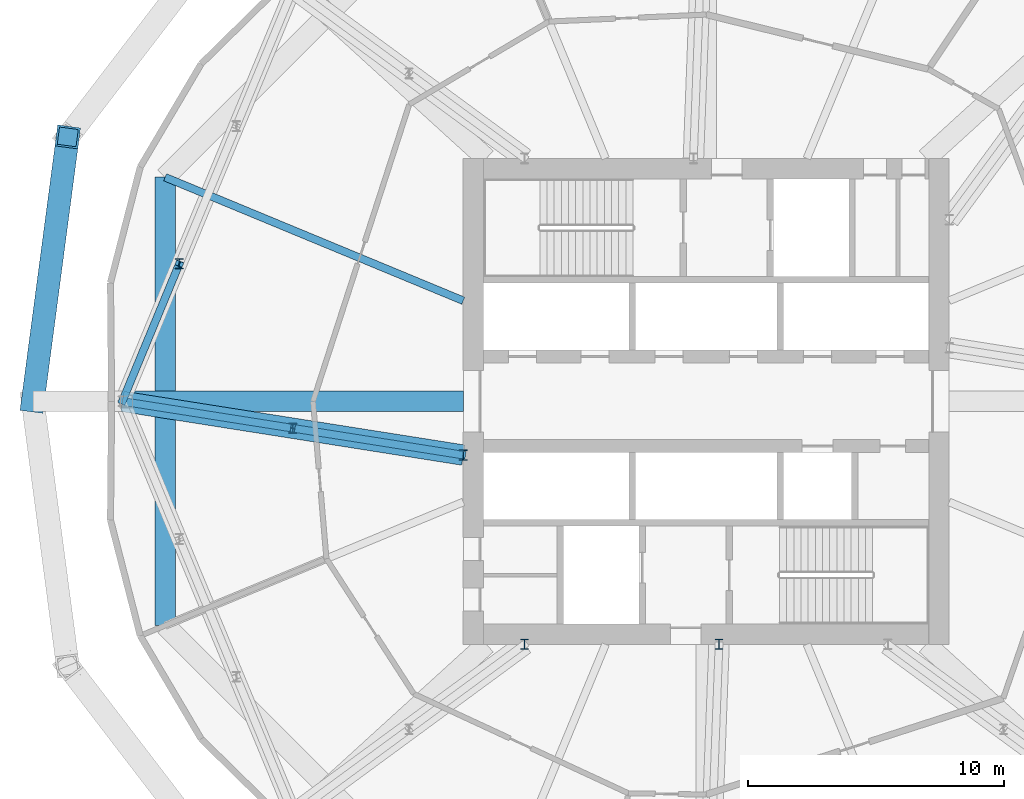
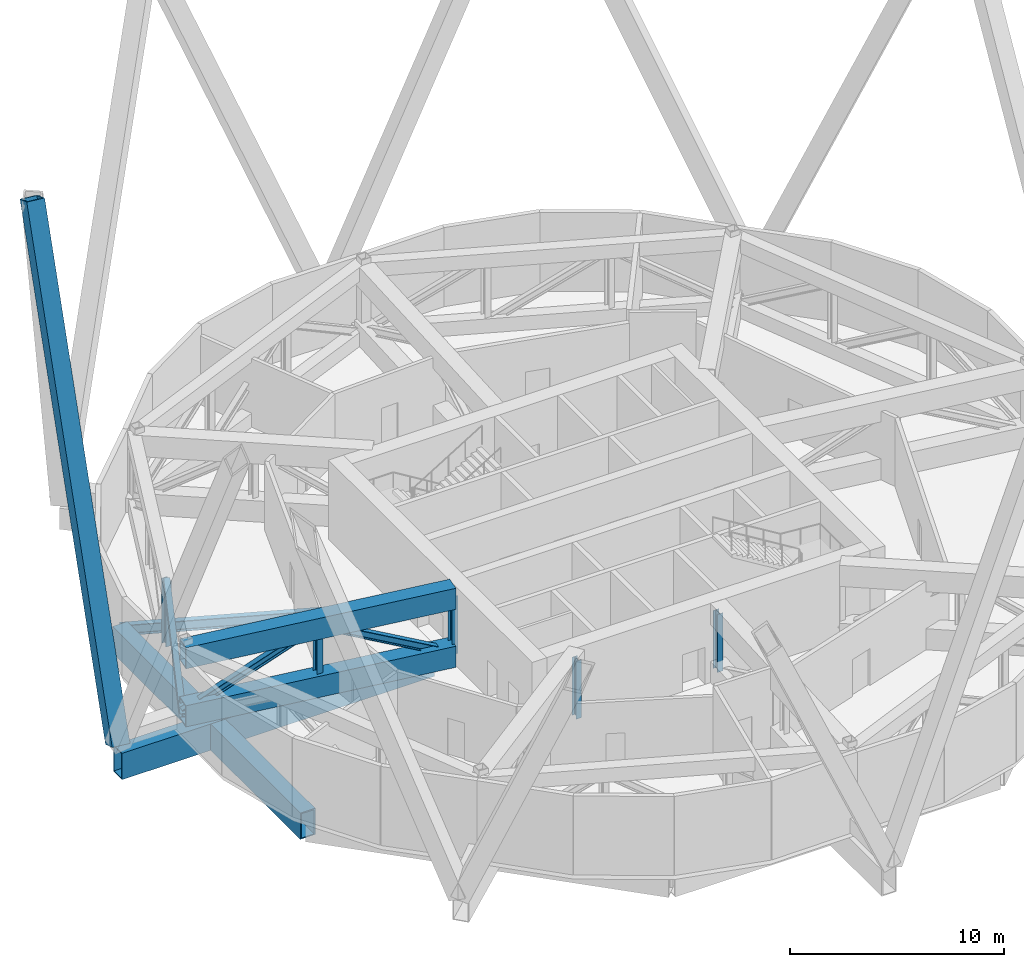
# One storey, part 4 of 21: 11 members, 3 beams.
"""IFC4 building model written with IfcOpenShell, lengths in metres."""

from ifc_helpers import new_model, si_unit, direction, frame, origin, origin_2d, place, context, subcontext, project, spatial, hollow_rectangle, i_section, extrude, material, material_profile, profile_set, type_object, element, save


model = new_model("IFC4")

# Units and contexts
model_context = context("Model", 3, precision=1e-05, world=origin(), true_north=direction((0.0, 1.0)))
body_context = subcontext(model_context, "Body", "Model", "MODEL_VIEW")
ifc_project = project(units=[si_unit("LENGTHUNIT", "METRE"), si_unit("AREAUNIT", "SQUARE_METRE"), si_unit("VOLUMEUNIT", "CUBIC_METRE"), si_unit("PLANEANGLEUNIT", "RADIAN"), si_unit("MASSUNIT", "GRAM", prefix="KILO")], contexts=[model_context])

# Site, building, storey
site_placement = place(None, origin())
site = spatial("IfcSite", under=ifc_project, at=site_placement, CompositionType="ELEMENT")
building_placement = place(site_placement, origin())
building = spatial("IfcBuilding", under=site, at=building_placement, Name="Ogive Gate Towers", CompositionType="ELEMENT")
storey_placement = place(building_placement, frame((0.0, 0.0, 71.39990234375)))
storey = spatial("IfcBuildingStorey", under=building, at=storey_placement, Name="L16", CompositionType="ELEMENT", Elevation=71.39990234375)

# Member
ifc_material_1 = material(Name="Steel SM460", Category="steel")
ifc_material_profile_1 = material_profile(ifc_material_1, hollow_rectangle(XDim=0.89990234375, YDim=0.89990234375, WallThickness=0.080078125, at=origin_2d()), Name="BX 900x900x80")
ifc_profile_set_1 = profile_set([ifc_material_profile_1], Name="Steel SM460")
member_type_1 = type_object("IfcMemberType", Name="Diagrid diagonal BX 900x900x80", PredefinedType="BRACE", material=ifc_profile_set_1)
member_1_placement = place(storey_placement, frame((-62.330078125, 0.0, 0.0), z_axis=(0.05169225596, 0.391020203016, 0.918929328897), x_axis=(-0.991374679477, 0.131058173692, 0.0)))
element("IfcMember", 1, at=member_1_placement, inside=storey, type_object=member_type_1, Name="T1/L16/SDG009", PredefinedType="BRACE", context=body_context, shape_type="SweptSolid", body=[
    extrude(hollow_rectangle(XDim=0.89990234375, YDim=0.89990234375, WallThickness=0.080078125, at=origin_2d()), origin(), (0.0, 0.0, 1.0), 26.44384765625),
])

# Beams
ifc_material_profile_2 = material_profile(ifc_material_1, hollow_rectangle(XDim=0.800048828125, YDim=1.5, WallThickness=0.06005859375, at=origin_2d()), Name="BX 1500x800x60")
ifc_profile_set_2 = profile_set([ifc_material_profile_2], Name="Steel SM460")
beam_type_1 = type_object("IfcBeamType", Name="Edge girder BX 1500x800x60", PredefinedType="BEAM", material=ifc_profile_set_2)
beam_1_placement = place(storey_placement, frame((-57.15673828125, 8.763427734375, -1.0498046875), z_axis=(0.0, -1.0, 0.0), x_axis=(1.0, 0.0, 0.0)))
element("IfcBeam", 2, at=beam_1_placement, inside=storey, type_object=beam_type_1, Name="T1/L16/SBM024", PredefinedType="BEAM", context=body_context, shape_type="SweptSolid", body=[
    extrude(hollow_rectangle(XDim=0.800048828125, YDim=1.5, WallThickness=0.06005859375, at=origin_2d()), origin(), (0.0, 0.0, 1.0), 17.52685546875),
])
ifc_material_2 = material(Name="Steel SM355", Category="steel")
ifc_material_profile_3 = material_profile(ifc_material_2, i_section(OverallWidth=0.300048828125, OverallDepth=0.590087890625, WebThickness=0.012939453125, FlangeThickness=0.02490234375, FilletRadius=0.027099609375, at=origin_2d()), Name="HE 600 A")
ifc_profile_set_3 = profile_set([ifc_material_profile_3], Name="Steel SM355")
beam_type_2 = type_object("IfcBeamType", Name="Radial floor beam HE 600 A", PredefinedType="BEAM", material=ifc_profile_set_3)
beam_2_placement = place(storey_placement, frame((-45.5, 3.93505859375, -0.594970703125), z_axis=(-0.923879811284, 0.382682759347, 0.0), x_axis=(-0.382682759347, -0.923879811284, 0.0)))
element("IfcBeam", 3, at=beam_2_placement, inside=storey, type_object=beam_type_2, Name="T1/L16/SBM015", PredefinedType="BEAM", context=body_context, shape_type="SweptSolid", body=[
    extrude(i_section(OverallWidth=0.300048828125, OverallDepth=0.590087890625, WebThickness=0.012939453125, FlangeThickness=0.02490234375, FilletRadius=0.027099609375, at=origin_2d()), origin(), (0.0, 0.0, 1.0), 12.6171875),
])
ifc_material_profile_4 = material_profile(ifc_material_1, hollow_rectangle(XDim=0.800048828125, YDim=1.5, WallThickness=0.06005859375, at=origin_2d()), Name="BX 1500x800x60")
ifc_profile_set_4 = profile_set([ifc_material_profile_4], Name="Steel SM460")
beam_type_3 = type_object("IfcBeamType", Name="Transfer radial beam BX 1500x800x60", PredefinedType="BEAM", material=ifc_profile_set_4)
beam_3_placement = place(storey_placement, frame((-45.5, 0.0, -1.0498046875), z_axis=(-1.0, 0.0, 0.0), x_axis=(0.0, -1.0, 0.0)))
element("IfcBeam", 4, at=beam_3_placement, inside=storey, type_object=beam_type_3, Name="T1/L16/SBM016", PredefinedType="BEAM", context=body_context, shape_type="SweptSolid", body=[
    extrude(hollow_rectangle(XDim=0.800048828125, YDim=1.5, WallThickness=0.06005859375, at=origin_2d()), origin(), (0.0, 0.0, 1.0), 16.830078125),
])

# Members
ifc_material_profile_5 = material_profile(ifc_material_1, hollow_rectangle(XDim=0.800048828125, YDim=1.199951171875, WallThickness=0.050048828125, at=origin_2d()), Name="BX 1200x800x50")
ifc_profile_set_5 = profile_set([ifc_material_profile_5], Name="Steel SM460")
member_type_2 = type_object("IfcMemberType", Name="Truss chord BX 1200x800x50", PredefinedType="CHORD", material=ifc_profile_set_5)
for number, where, z_axis, x_axis, name in (
    (5, (-45.5, -2.10009765625, 0.60009765625), (-0.987816010154, 0.15562625127, 0.0), (-0.15562625127, -0.987816010154, 0.0), "T1/L16/STR066"),
    (6, (-45.5, -2.10009765625, 3.900146484375), (-0.987816010154, 0.15562625127, 0.0), (-0.15562625127, -0.987816010154, 0.0), "T1/L16/STR067"),
):
    element("IfcMember", number, at=place(storey_placement, frame(where, z_axis=z_axis, x_axis=x_axis)), inside=storey, type_object=member_type_2, Name=name, PredefinedType="CHORD", context=body_context, shape_type="SweptSolid", body=[
        extrude(hollow_rectangle(XDim=0.800048828125, YDim=1.199951171875, WallThickness=0.050048828125, at=origin_2d()), origin(), (0.0, 0.0, 1.0), 13.494384765625),
    ])
ifc_material_profile_6 = material_profile(ifc_material_1, i_section(OverallWidth=0.300048828125, OverallDepth=0.39990234375, WebThickness=0.013427734375, FlangeThickness=0.02392578125, FilletRadius=0.027099609375, at=origin_2d()), Name="HE 400 B")
ifc_profile_set_6 = profile_set([ifc_material_profile_6], Name="Steel SM460")
member_type_3 = type_object("IfcMemberType", Name="Truss diagonal HE 400 B", PredefinedType="BRACE", material=ifc_profile_set_6)
member_2_placement = place(storey_placement, frame((-56.60107421875, 5.381103515625, 4.10009765625), z_axis=(-0.323029212472, -0.779834268576, -0.536200187844), x_axis=(0.923874806885, -0.382694840836, 0.0)))
element("IfcMember", 7, at=member_2_placement, inside=storey, type_object=member_type_3, Name="T1/L16/STR048", PredefinedType="BRACE", context=body_context, shape_type="SweptSolid", body=[
    extrude(i_section(OverallWidth=0.300048828125, OverallDepth=0.39990234375, WebThickness=0.013427734375, FlangeThickness=0.02392578125, FilletRadius=0.027099609375, at=origin_2d()), origin(), (0.0, 0.0, 1.0), 6.900390625),
])
for number, where, z_axis, x_axis, name in (
    (8, (-45.5, -2.10009765625, 0.60009765625), (-0.887366076711, 0.139800787397, 0.439359972854), (-0.15562625127, -0.987816010154, 0.0), "T1/L16/STR068"),
    (9, (-52.1650390625, -1.050048828125, 3.900146484375), (-0.887366076711, 0.139800787397, -0.439359972854), (-0.15562625127, -0.987816010154, 0.0), "T1/L16/STR069"),
):
    element("IfcMember", number, at=place(storey_placement, frame(where, z_axis=z_axis, x_axis=x_axis)), inside=storey, type_object=member_type_3, Name=name, PredefinedType="BRACE", context=body_context, shape_type="SweptSolid", body=[
        extrude(i_section(OverallWidth=0.300048828125, OverallDepth=0.39990234375, WebThickness=0.013427734375, FlangeThickness=0.02392578125, FilletRadius=0.027099609375, at=origin_2d()), origin(), (0.0, 0.0, 1.0), 7.510986328125),
    ])
ifc_material_profile_7 = material_profile(ifc_material_1, i_section(OverallWidth=0.300048828125, OverallDepth=0.39990234375, WebThickness=0.013427734375, FlangeThickness=0.02392578125, FilletRadius=0.027099609375, at=origin_2d()), Name="HE 400 B")
ifc_profile_set_7 = profile_set([ifc_material_profile_7], Name="Steel SM460")
member_type_4 = type_object("IfcMemberType", Name="Truss post HE 400 B", PredefinedType="POST", material=ifc_profile_set_7)
member_3_placement = place(storey_placement, frame((-56.60107421875, 5.381103515625, 0.400146484375), z_axis=(0.0, 0.0, 1.0), x_axis=(1.0, 0.0, 0.0)))
element("IfcMember", 10, at=member_3_placement, inside=storey, type_object=member_type_4, Name="T1/L16/STR050", PredefinedType="POST", context=body_context, shape_type="SweptSolid", body=[
    extrude(i_section(OverallWidth=0.300048828125, OverallDepth=0.39990234375, WebThickness=0.013427734375, FlangeThickness=0.02392578125, FilletRadius=0.027099609375, at=origin_2d()), origin(), (0.0, 0.0, 1.0), 3.699951171875),
])
for number, where, z_axis, x_axis, name in (
    (11, (-45.5, -2.10009765625, 0.60009765625), (0.0, 0.0, 1.0), (1.0, 0.0, 0.0), "T1/L16/STR070"),
    (12, (-52.1650390625, -1.050048828125, 0.60009765625), (0.0, 0.0, 1.0), (1.0, 0.0, 0.0), "T1/L16/STR071"),
    (13, (-43.10009765625, -9.5, 0.60009765625), (0.0, 0.0, 1.0), (1.0, 0.0, 0.0), "T1/L16/STR084"),
    (14, (-35.5, -9.5, 0.60009765625), (0.0, 0.0, 1.0), (1.0, 0.0, 0.0), "T1/L16/STR098"),
):
    element("IfcMember", number, at=place(storey_placement, frame(where, z_axis=z_axis, x_axis=x_axis)), inside=storey, type_object=member_type_4, Name=name, PredefinedType="POST", context=body_context, shape_type="SweptSolid", body=[
        extrude(i_section(OverallWidth=0.300048828125, OverallDepth=0.39990234375, WebThickness=0.013427734375, FlangeThickness=0.02392578125, FilletRadius=0.027099609375, at=origin_2d()), origin(), (0.0, 0.0, 1.0), 3.300048828125),
    ])

save(model, "model.ifc")
